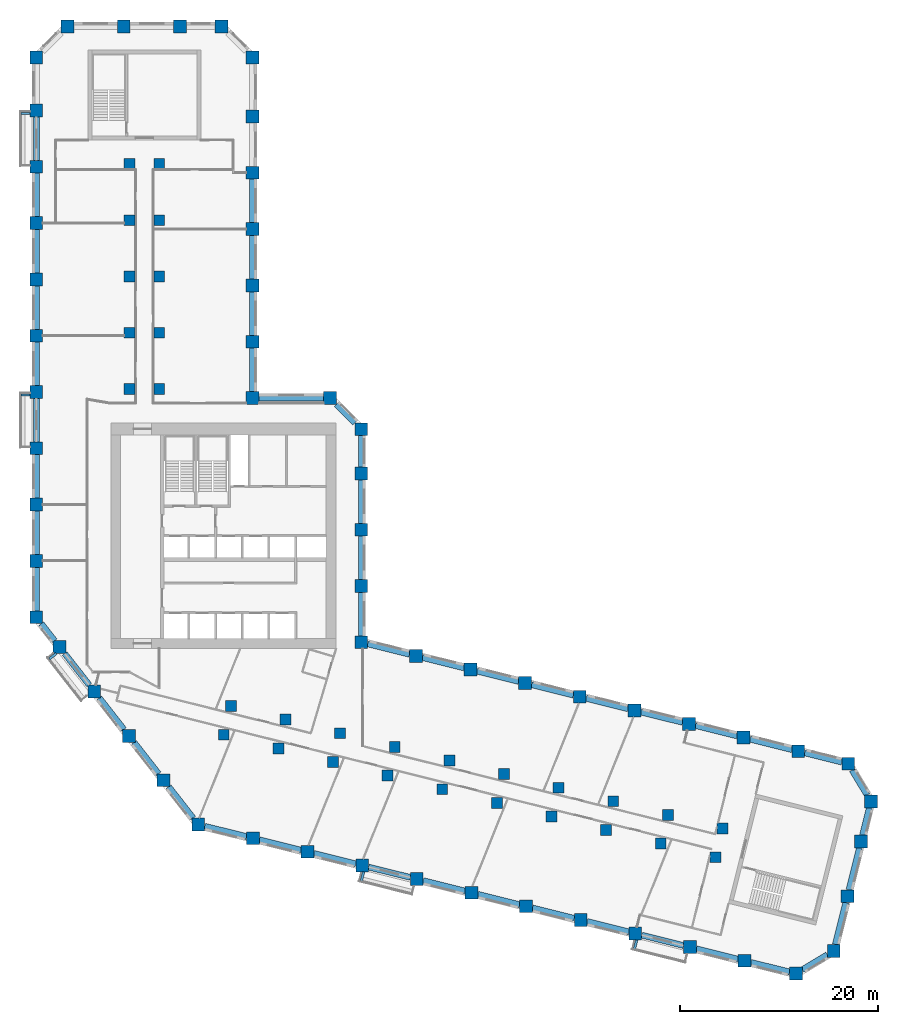
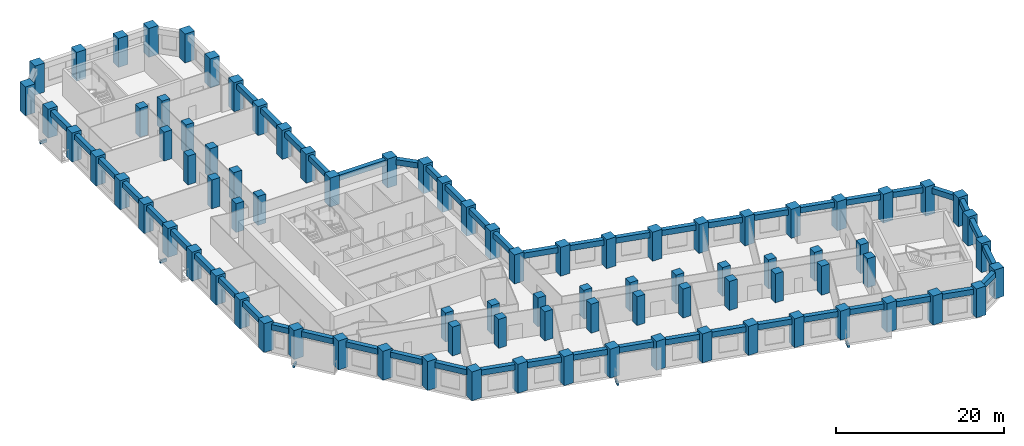
# One storey, part 1 of 10: 87 columns, 54 beams.
"""IFC4 building model written with IfcOpenShell, lengths in metres."""

from ifc_helpers import new_model, si_unit, direction, frame, origin, origin_2d, place, context, subcontext, project, spatial, rectangle, extrude, material, material_profile, profile_set, type_object, element, save


model = new_model("IFC4")

# Units and contexts
model_context = context("Model", 3, precision=1e-05, world=origin(), true_north=direction((0.0, 1.0)))
body_context = subcontext(model_context, "Body", "Model", "MODEL_VIEW")
ifc_project = project(units=[si_unit("LENGTHUNIT", "METRE"), si_unit("AREAUNIT", "SQUARE_METRE"), si_unit("VOLUMEUNIT", "CUBIC_METRE"), si_unit("PLANEANGLEUNIT", "RADIAN"), si_unit("MASSUNIT", "GRAM", prefix="KILO")], contexts=[model_context])

# Site, building, storey
site_placement = place(None, origin())
site = spatial("IfcSite", under=ifc_project, at=site_placement, CompositionType="ELEMENT")
building_placement = place(site_placement, origin())
building = spatial("IfcBuilding", under=site, at=building_placement, Name="Meshkara Civic Tower", CompositionType="ELEMENT")
storey_placement = place(building_placement, frame((0.0, 0.0, 126.60009765625)))
storey = spatial("IfcBuildingStorey", under=building, at=storey_placement, Name="L28", CompositionType="ELEMENT", Elevation=126.60009765625)

# Columns
ifc_material_1 = material(Name="Concrete C70", Category="concrete")
ifc_material_profile_1 = material_profile(ifc_material_1, rectangle(XDim=1.10009765625, YDim=1.10009765625, at=origin_2d()))
ifc_profile_set_1 = profile_set([ifc_material_profile_1], Name="Concrete C70")
column_type_1 = type_object("IfcColumnType", Name="Interior column RC 1100x1100 C70", PredefinedType="COLUMN", material=ifc_profile_set_1)
for number, where, z_axis, x_axis, name in (
    (1, (9.89990234375, 40.35009765625, 0.0), (0.0, 0.0, 1.0), (1.0, 0.0, 0.0), "Column SA1-04 L28"),
    (2, (9.89990234375, 46.050048828125, 0.0), (0.0, 0.0, 1.0), (1.0, 0.0, 0.0), "Column SA1-05 L28"),
    (3, (9.89990234375, 51.75, 0.0), (0.0, 0.0, 1.0), (1.0, 0.0, 0.0), "Column SA1-06 L28"),
    (4, (9.89990234375, 57.449951171875, 0.0), (0.0, 0.0, 1.0), (1.0, 0.0, 0.0), "Column SA1-07 L28"),
    (5, (9.89990234375, 63.14990234375, 0.0), (0.0, 0.0, 1.0), (1.0, 0.0, 0.0), "Column SA1-08 L28"),
    (6, (12.89990234375, 40.35009765625, 0.0), (0.0, 0.0, 1.0), (1.0, 0.0, 0.0), "Column SA2-04 L28"),
    (7, (12.89990234375, 46.050048828125, 0.0), (0.0, 0.0, 1.0), (1.0, 0.0, 0.0), "Column SA2-05 L28"),
    (8, (12.89990234375, 51.75, 0.0), (0.0, 0.0, 1.0), (1.0, 0.0, 0.0), "Column SA2-06 L28"),
    (9, (12.89990234375, 57.449951171875, 0.0), (0.0, 0.0, 1.0), (1.0, 0.0, 0.0), "Column SA2-07 L28"),
    (10, (12.89990234375, 63.14990234375, 0.0), (0.0, 0.0, 1.0), (1.0, 0.0, 0.0), "Column SA2-08 L28"),
    (11, (19.424072265625, 5.360107421875, 0.0), (0.0, 0.0, 1.0), (1.0, 0.0, 0.0), "Column SB1-00 L28"),
    (12, (24.9541015625, 3.98095703125, 0.0), (0.0, 0.0, 1.0), (1.0, 0.0, 0.0), "Column SB1-01 L28"),
    (13, (30.485107421875, 2.60205078125, 0.0), (0.0, 0.0, 1.0), (1.0, 0.0, 0.0), "Column SB1-02 L28"),
    (14, (36.01611328125, 1.222900390625, 0.0), (0.0, 0.0, 1.0), (1.0, 0.0, 0.0), "Column SB1-03 L28"),
    (15, (41.5458984375, -0.156005859375, 0.0), (0.0, 0.0, 1.0), (1.0, 0.0, 0.0), "Column SB1-04 L28"),
    (16, (47.076904296875, -1.534912109375, 0.0), (0.0, 0.0, 1.0), (1.0, 0.0, 0.0), "Column SB1-05 L28"),
    (17, (52.60791015625, -2.9140625, 0.0), (0.0, 0.0, 1.0), (1.0, 0.0, 0.0), "Column SB1-06 L28"),
    (18, (58.138916015625, -4.2919921875, 0.0), (0.0, 0.0, 1.0), (1.0, 0.0, 0.0), "Column SB1-07 L28"),
    (19, (63.6689453125, -5.6708984375, 0.0), (0.0, 0.0, 1.0), (1.0, 0.0, 0.0), "Column SB1-08 L28"),
    (20, (69.199951171875, -7.050048828125, 0.0), (0.0, 0.0, 1.0), (1.0, 0.0, 0.0), "Column SB1-09 L28"),
    (21, (20.14892578125, 8.27099609375, 0.0), (0.0, 0.0, 1.0), (1.0, 0.0, 0.0), "Column SB2-00 L28"),
    (22, (25.679931640625, 6.89208984375, 0.0), (0.0, 0.0, 1.0), (1.0, 0.0, 0.0), "Column SB2-01 L28"),
    (23, (31.2109375, 5.512939453125, 0.0), (0.0, 0.0, 1.0), (1.0, 0.0, 0.0), "Column SB2-02 L28"),
    (24, (36.741943359375, 4.134033203125, 0.0), (0.0, 0.0, 1.0), (1.0, 0.0, 0.0), "Column SB2-03 L28"),
    (25, (42.27197265625, 2.7548828125, 0.0), (0.0, 0.0, 1.0), (1.0, 0.0, 0.0), "Column SB2-04 L28"),
    (26, (47.802978515625, 1.3759765625, 0.0), (0.0, 0.0, 1.0), (1.0, 0.0, 0.0), "Column SB2-05 L28"),
    (27, (53.333984375, -0.0029296875, 0.0), (0.0, 0.0, 1.0), (1.0, 0.0, 0.0), "Column SB2-06 L28"),
    (28, (58.864013671875, -1.382080078125, 0.0), (0.0, 0.0, 1.0), (1.0, 0.0, 0.0), "Column SB2-07 L28"),
    (29, (64.39501953125, -2.760986328125, 0.0), (0.0, 0.0, 1.0), (1.0, 0.0, 0.0), "Column SB2-08 L28"),
    (30, (69.926025390625, -4.139892578125, 0.0), (0.0, 0.0, 1.0), (1.0, 0.0, 0.0), "Column SB2-09 L28"),
):
    element("IfcColumn", number, at=place(storey_placement, frame(where, z_axis=z_axis, x_axis=x_axis)), inside=storey, type_object=column_type_1, Name=name, PredefinedType="COLUMN", context=body_context, shape_type="SweptSolid", body=[
        extrude(rectangle(XDim=1.10009765625, YDim=1.10009765625, at=origin_2d()), origin(), (0.0, 0.0, 1.0), 4.199951171875),
    ])
ifc_material_2 = material(Name="Concrete C70", Category="concrete")
ifc_material_profile_2 = material_profile(ifc_material_2, rectangle(XDim=1.300048828125, YDim=1.300048828125, at=origin_2d()))
ifc_profile_set_2 = profile_set([ifc_material_profile_2], Name="Concrete C70")
column_type_2 = type_object("IfcColumnType", Name="Perimeter column RC 1300x1300 C70", PredefinedType="COLUMN", material=ifc_profile_set_2)
for number, where, z_axis, x_axis, name in (
    (31, (33.35009765625, 14.718994140625, 0.0), (0.0, 0.0, 1.0), (1.0, 0.0, 0.0), "Column HE00 L28"),
    (32, (33.35009765625, 20.4189453125, 0.0), (0.0, 0.0, 1.0), (1.0, 0.0, 0.0), "Column HE01 L28"),
    (33, (33.35009765625, 26.118896484375, 0.0), (0.0, 0.0, 1.0), (1.0, 0.0, 0.0), "Column HE02 L28"),
    (34, (33.35009765625, 31.819091796875, 0.0), (0.0, 0.0, 1.0), (1.0, 0.0, 0.0), "Column HE03 L28"),
    (35, (33.35009765625, 36.2939453125, 0.0), (0.0, 0.0, 1.0), (1.0, 0.0, 0.0), "Column HEE L28"),
    (36, (30.194091796875, 39.449951171875, 0.0), (0.0, 0.0, 1.0), (1.0, 0.0, 0.0), "Column HCeE L28"),
    (37, (22.35009765625, 39.449951171875, 0.0), (0.0, 0.0, 1.0), (1.0, 0.0, 0.0), "Column HN00 L28"),
    (38, (22.35009765625, 45.14990234375, 0.0), (0.0, 0.0, 1.0), (1.0, 0.0, 0.0), "Column AE01 L28"),
    (39, (22.35009765625, 50.85009765625, 0.0), (0.0, 0.0, 1.0), (1.0, 0.0, 0.0), "Column AE02 L28"),
    (40, (22.35009765625, 56.550048828125, 0.0), (0.0, 0.0, 1.0), (1.0, 0.0, 0.0), "Column AE03 L28"),
    (41, (22.35009765625, 62.25, 0.0), (0.0, 0.0, 1.0), (1.0, 0.0, 0.0), "Column AE04 L28"),
    (42, (22.35009765625, 67.949951171875, 0.0), (0.0, 0.0, 1.0), (1.0, 0.0, 0.0), "Column AE05 L28"),
    (43, (22.35009765625, 73.9140625, 0.0), (0.0, 0.0, 1.0), (1.0, 0.0, 0.0), "Column AEEP1 L28"),
    (44, (19.194091796875, 77.070068359375, 0.0), (0.0, 0.0, 1.0), (1.0, 0.0, 0.0), "Column ATiEP1 L28"),
    (45, (3.60595703125, 77.070068359375, 0.0), (0.0, 0.0, 1.0), (1.0, 0.0, 0.0), "Column AT00-P1 L28"),
    (46, (9.305908203125, 77.070068359375, 0.0), (0.0, 0.0, 1.0), (1.0, 0.0, 0.0), "Column AT01-P1 L28"),
    (47, (15.006103515625, 77.070068359375, 0.0), (0.0, 0.0, 1.0), (1.0, 0.0, 0.0), "Column AT02-P1 L28"),
    (48, (0.449951171875, 73.9140625, 0.0), (0.0, 0.0, 1.0), (1.0, 0.0, 0.0), "Column ATo00-P1 L28"),
    (49, (0.449951171875, 17.2548828125, 0.0), (0.0, 0.0, 1.0), (1.0, 0.0, 0.0), "Column AW00 L28"),
    (50, (0.449951171875, 22.955078125, 0.0), (0.0, 0.0, 1.0), (1.0, 0.0, 0.0), "Column AW01 L28"),
    (51, (0.449951171875, 28.655029296875, 0.0), (0.0, 0.0, 1.0), (1.0, 0.0, 0.0), "Column AW02 L28"),
    (52, (0.449951171875, 34.35498046875, 0.0), (0.0, 0.0, 1.0), (1.0, 0.0, 0.0), "Column AW03 L28"),
    (53, (0.449951171875, 40.054931640625, 0.0), (0.0, 0.0, 1.0), (1.0, 0.0, 0.0), "Column AW04 L28"),
    (54, (0.449951171875, 45.7548828125, 0.0), (0.0, 0.0, 1.0), (1.0, 0.0, 0.0), "Column AW05 L28"),
    (55, (0.449951171875, 51.455078125, 0.0), (0.0, 0.0, 1.0), (1.0, 0.0, 0.0), "Column AW06 L28"),
    (56, (0.449951171875, 57.155029296875, 0.0), (0.0, 0.0, 1.0), (1.0, 0.0, 0.0), "Column AW07 L28"),
    (57, (0.449951171875, 62.85498046875, 0.0), (0.0, 0.0, 1.0), (1.0, 0.0, 0.0), "Column AW08 L28"),
    (58, (0.449951171875, 68.554931640625, 0.0), (0.0, 0.0, 1.0), (1.0, 0.0, 0.0), "Column AW09 L28"),
    (59, (16.85107421875, -3.738037109375, 0.0), (0.0, 0.0, 1.0), (1.0, 0.0, 0.0), "Column BOW00 L28"),
    (60, (13.342041015625, 0.75390625, 0.0), (0.0, 0.0, 1.0), (1.0, 0.0, 0.0), "Column BOW01 L28"),
    (61, (9.8330078125, 5.2451171875, 0.0), (0.0, 0.0, 1.0), (1.0, 0.0, 0.0), "Column BOW02 L28"),
    (62, (6.322998046875, 9.737060546875, 0.0), (0.0, 0.0, 1.0), (1.0, 0.0, 0.0), "Column BOW03 L28"),
    (63, (2.81396484375, 14.22900390625, 0.0), (0.0, 0.0, 1.0), (1.0, 0.0, 0.0), "Column BOW04 L28"),
    (64, (22.382080078125, -5.116943359375, 0.0), (0.0, 0.0, 1.0), (1.0, 0.0, 0.0), "Column BS01 L28"),
    (65, (27.912109375, -6.49609375, 0.0), (0.0, 0.0, 1.0), (1.0, 0.0, 0.0), "Column BS02 L28"),
    (66, (33.443115234375, -7.875, 0.0), (0.0, 0.0, 1.0), (1.0, 0.0, 0.0), "Column BS03 L28"),
    (67, (38.97412109375, -9.2529296875, 0.0), (0.0, 0.0, 1.0), (1.0, 0.0, 0.0), "Column BS04-P1 L28"),
    (68, (44.5048828125, -10.632080078125, 0.0), (0.0, 0.0, 1.0), (1.0, 0.0, 0.0), "Column BS05 L28"),
    (69, (50.034912109375, -12.010986328125, 0.0), (0.0, 0.0, 1.0), (1.0, 0.0, 0.0), "Column BS06 L28"),
    (70, (55.56591796875, -13.389892578125, 0.0), (0.0, 0.0, 1.0), (1.0, 0.0, 0.0), "Column BS07 L28"),
    (71, (61.096923828125, -14.76904296875, 0.0), (0.0, 0.0, 1.0), (1.0, 0.0, 0.0), "Column BS08 L28"),
    (72, (66.626953125, -16.14794921875, 0.0), (0.0, 0.0, 1.0), (1.0, 0.0, 0.0), "Column BS09 L28"),
    (73, (72.157958984375, -17.527099609375, 0.0), (0.0, 0.0, 1.0), (1.0, 0.0, 0.0), "Column BS10 L28"),
    (74, (77.35791015625, -18.822998046875, 0.0), (0.0, 0.0, 1.0), (1.0, 0.0, 0.0), "Column BSEP1 L28"),
    (75, (81.18310546875, -16.52392578125, 0.0), (0.0, 0.0, 1.0), (1.0, 0.0, 0.0), "Column BToEP1 L28"),
    (76, (82.56201171875, -10.992919921875, 0.0), (0.0, 0.0, 1.0), (1.0, 0.0, 0.0), "Column BT01-P1 L28"),
    (77, (83.94091796875, -5.462890625, 0.0), (0.0, 0.0, 1.0), (1.0, 0.0, 0.0), "Column BT02-P1 L28"),
    (78, (84.9541015625, -1.39990234375, 0.0), (0.0, 0.0, 1.0), (1.0, 0.0, 0.0), "Column BTEP1 L28"),
    (79, (82.655029296875, 2.425048828125, 0.0), (0.0, 0.0, 1.0), (1.0, 0.0, 0.0), "Column BTi00-P1 L28"),
    (80, (38.881103515625, 13.340087890625, 0.0), (0.0, 0.0, 1.0), (1.0, 0.0, 0.0), "Column BN01 L28"),
    (81, (44.410888671875, 11.9609375, 0.0), (0.0, 0.0, 1.0), (1.0, 0.0, 0.0), "Column BN02 L28"),
    (82, (49.94189453125, 10.58203125, 0.0), (0.0, 0.0, 1.0), (1.0, 0.0, 0.0), "Column BN03 L28"),
    (83, (55.472900390625, 9.202880859375, 0.0), (0.0, 0.0, 1.0), (1.0, 0.0, 0.0), "Column BN04 L28"),
    (84, (61.0029296875, 7.823974609375, 0.0), (0.0, 0.0, 1.0), (1.0, 0.0, 0.0), "Column BN05 L28"),
    (85, (66.533935546875, 6.445068359375, 0.0), (0.0, 0.0, 1.0), (1.0, 0.0, 0.0), "Column BN06 L28"),
    (86, (72.06494140625, 5.06591796875, 0.0), (0.0, 0.0, 1.0), (1.0, 0.0, 0.0), "Column BN07 L28"),
    (87, (77.594970703125, 3.68701171875, 0.0), (0.0, 0.0, 1.0), (1.0, 0.0, 0.0), "Column BN08 L28"),
):
    element("IfcColumn", number, at=place(storey_placement, frame(where, z_axis=z_axis, x_axis=x_axis)), inside=storey, type_object=column_type_2, Name=name, PredefinedType="COLUMN", context=body_context, shape_type="SweptSolid", body=[
        extrude(rectangle(XDim=1.300048828125, YDim=1.300048828125, at=origin_2d()), origin(), (0.0, 0.0, 1.0), 4.199951171875),
    ])

# Beams
ifc_material_3 = material(Name="Concrete C50", Category="concrete")
ifc_material_profile_3 = material_profile(ifc_material_3, rectangle(XDim=0.25, YDim=0.39990234375, at=origin_2d()))
ifc_profile_set_3 = profile_set([ifc_material_profile_3], Name="Concrete C50")
beam_type_1 = type_object("IfcBeamType", Name="Balcony bracket beam RC 250x400 C50", PredefinedType="BEAM", material=ifc_profile_set_3)
for number, where, z_axis, x_axis, name in (
    (88, (-0.195068359375, 68.2548828125, -0.5), (-1.0, 0.0, 0.0), (0.0, -1.0, 0.0), "Balcony bracket beam"),
    (89, (-0.195068359375, 39.7548828125, -0.5), (-1.0, 0.0, 0.0), (0.0, -1.0, 0.0), "Balcony bracket beam"),
):
    element("IfcBeam", number, at=place(storey_placement, frame(where, z_axis=z_axis, x_axis=x_axis)), inside=storey, type_object=beam_type_1, Name=name, PredefinedType="BEAM", context=body_context, shape_type="SweptSolid", body=[
        extrude(rectangle(XDim=0.25, YDim=0.39990234375, at=origin_2d()), origin(), (0.0, 0.0, 1.0), 0.905029296875),
    ])
beam_1_placement = place(storey_placement, frame((2.472900390625, 13.58203125, -0.5), z_axis=(-0.787831553438, -0.615890772302, 0.0), x_axis=(0.615890772302, -0.787831553438, 0.0)))
element("IfcBeam", 90, at=beam_1_placement, inside=storey, type_object=beam_type_1, Name="Balcony bracket beam", PredefinedType="BEAM", context=body_context, shape_type="SweptSolid", body=[
    extrude(rectangle(XDim=0.25, YDim=0.39990234375, at=origin_2d()), origin(), (0.0, 0.0, 1.0), 0.88330078125),
])
beam_2_placement = place(storey_placement, frame((33.591064453125, -8.52001953125, -0.5), z_axis=(-0.24199671944, -0.970277067533, 0.0), x_axis=(0.970277067533, -0.24199671944, 0.0)))
element("IfcBeam", 91, at=beam_2_placement, inside=storey, type_object=beam_type_1, Name="Balcony bracket beam", PredefinedType="BEAM", context=body_context, shape_type="SweptSolid", body=[
    extrude(rectangle(XDim=0.25, YDim=0.39990234375, at=origin_2d()), origin(), (0.0, 0.0, 1.0), 0.95947265625),
])
beam_3_placement = place(storey_placement, frame((61.2451171875, -15.4140625, -0.5), z_axis=(-0.241757949961, -0.970336587804, 0.0), x_axis=(0.970336587804, -0.241757949961, 0.0)))
element("IfcBeam", 92, at=beam_3_placement, inside=storey, type_object=beam_type_1, Name="Balcony bracket beam", PredefinedType="BEAM", context=body_context, shape_type="SweptSolid", body=[
    extrude(rectangle(XDim=0.25, YDim=0.39990234375, at=origin_2d()), origin(), (0.0, 0.0, 1.0), 0.96044921875),
])
ifc_material_4 = material(Name="Concrete C70", Category="concrete")
ifc_material_profile_4 = material_profile(ifc_material_4, rectangle(XDim=0.60009765625, YDim=0.800048828125, at=origin_2d()))
ifc_profile_set_4 = profile_set([ifc_material_profile_4], Name="Concrete C70")
beam_type_2 = type_object("IfcBeamType", Name="Spandrel beam RC 600x800 C70", PredefinedType="BEAM", material=ifc_profile_set_4)
beam_4_placement = place(storey_placement, frame((76.949951171875, 3.847900390625, 3.5), z_axis=(-0.970293497888, 0.241930832999, 0.0), x_axis=(-0.241930832999, -0.970293497888, 0.0)))
element("IfcBeam", 93, at=beam_4_placement, inside=storey, type_object=beam_type_2, Name="Spandrel beam BN07-BN08", PredefinedType="BEAM", context=body_context, shape_type="SweptSolid", body=[
    extrude(rectangle(XDim=0.60009765625, YDim=0.800048828125, at=origin_2d()), origin(), (0.0, 0.0, 1.0), 4.36962890625),
])
for number, where, z_axis, x_axis, name in (
    (94, (71.419921875, 5.226806640625, 3.5), (-0.970293463154, 0.241930972304, 0.0), (-0.241930972304, -0.970293463154, 0.0), "Spandrel beam BN06-BN07"),
    (95, (65.888916015625, 6.605712890625, 3.5), (-0.970293463154, 0.241930972304, 0.0), (-0.241930972304, -0.970293463154, 0.0), "Spandrel beam BN05-BN06"),
):
    element("IfcBeam", number, at=place(storey_placement, frame(where, z_axis=z_axis, x_axis=x_axis)), inside=storey, type_object=beam_type_2, Name=name, PredefinedType="BEAM", context=body_context, shape_type="SweptSolid", body=[
        extrude(rectangle(XDim=0.60009765625, YDim=0.800048828125, at=origin_2d()), origin(), (0.0, 0.0, 1.0), 4.37060546875),
    ])
beam_5_placement = place(storey_placement, frame((60.35791015625, 7.98486328125, 3.5), z_axis=(-0.970293497888, 0.241930832999, 0.0), x_axis=(-0.241930832999, -0.970293497888, 0.0)))
element("IfcBeam", 96, at=beam_5_placement, inside=storey, type_object=beam_type_2, Name="Spandrel beam BN04-BN05", PredefinedType="BEAM", context=body_context, shape_type="SweptSolid", body=[
    extrude(rectangle(XDim=0.60009765625, YDim=0.800048828125, at=origin_2d()), origin(), (0.0, 0.0, 1.0), 4.36962890625),
])
for number, where, z_axis, x_axis, name in (
    (97, (54.827880859375, 9.36376953125, 3.5), (-0.970293463154, 0.241930972304, 0.0), (-0.241930972304, -0.970293463154, 0.0), "Spandrel beam BN03-BN04"),
    (98, (49.296875, 10.742919921875, 3.5), (-0.970293463154, 0.241930972304, 0.0), (-0.241930972304, -0.970293463154, 0.0), "Spandrel beam BN02-BN03"),
):
    element("IfcBeam", number, at=place(storey_placement, frame(where, z_axis=z_axis, x_axis=x_axis)), inside=storey, type_object=beam_type_2, Name=name, PredefinedType="BEAM", context=body_context, shape_type="SweptSolid", body=[
        extrude(rectangle(XDim=0.60009765625, YDim=0.800048828125, at=origin_2d()), origin(), (0.0, 0.0, 1.0), 4.37060546875),
    ])
beam_6_placement = place(storey_placement, frame((43.765869140625, 12.121826171875, 3.5), z_axis=(-0.970280380753, 0.241983434817, 0.0), x_axis=(-0.241983434817, -0.970280380753, 0.0)))
element("IfcBeam", 99, at=beam_6_placement, inside=storey, type_object=beam_type_2, Name="Spandrel beam BN01-BN02", PredefinedType="BEAM", context=body_context, shape_type="SweptSolid", body=[
    extrude(rectangle(XDim=0.60009765625, YDim=0.800048828125, at=origin_2d()), origin(), (0.0, 0.0, 1.0), 4.36962890625),
])
beam_7_placement = place(storey_placement, frame((38.23583984375, 13.500732421875, 3.5), z_axis=(-0.970293463154, 0.241930972304, 0.0), x_axis=(-0.241930972304, -0.970293463154, 0.0)))
element("IfcBeam", 100, at=beam_7_placement, inside=storey, type_object=beam_type_2, Name="Spandrel beam BN01-HE00", PredefinedType="BEAM", context=body_context, shape_type="SweptSolid", body=[
    extrude(rectangle(XDim=0.60009765625, YDim=0.800048828125, at=origin_2d()), origin(), (0.0, 0.0, 1.0), 4.37060546875),
])
beam_8_placement = place(storey_placement, frame((33.35009765625, 15.364013671875, 3.5), z_axis=(0.0, 1.0, 0.0), x_axis=(-1.0, 0.0, 0.0)))
element("IfcBeam", 101, at=beam_8_placement, inside=storey, type_object=beam_type_2, Name="Spandrel beam HE00-HE01", PredefinedType="BEAM", context=body_context, shape_type="SweptSolid", body=[
    extrude(rectangle(XDim=0.60009765625, YDim=0.800048828125, at=origin_2d()), origin(), (0.0, 0.0, 1.0), 4.409912109375),
])
for number, where, z_axis, x_axis, name in (
    (102, (33.35009765625, 21.06396484375, 3.5), (0.0, 1.0, 0.0), (-1.0, 0.0, 0.0), "Spandrel beam HE01-HE02"),
    (103, (33.35009765625, 26.763916015625, 3.5), (0.0, 1.0, 0.0), (-1.0, 0.0, 0.0), "Spandrel beam HE02-HE03"),
):
    element("IfcBeam", number, at=place(storey_placement, frame(where, z_axis=z_axis, x_axis=x_axis)), inside=storey, type_object=beam_type_2, Name=name, PredefinedType="BEAM", context=body_context, shape_type="SweptSolid", body=[
        extrude(rectangle(XDim=0.60009765625, YDim=0.800048828125, at=origin_2d()), origin(), (0.0, 0.0, 1.0), 4.41015625),
    ])
beam_9_placement = place(storey_placement, frame((33.35009765625, 32.464111328125, 3.5), z_axis=(0.0, 1.0, 0.0), x_axis=(-1.0, 0.0, 0.0)))
element("IfcBeam", 104, at=beam_9_placement, inside=storey, type_object=beam_type_2, Name="Spandrel beam HE03-HEE", PredefinedType="BEAM", context=body_context, shape_type="SweptSolid", body=[
    extrude(rectangle(XDim=0.60009765625, YDim=0.800048828125, at=origin_2d()), origin(), (0.0, 0.0, 1.0), 3.184814453125),
])
beam_10_placement = place(storey_placement, frame((32.70361328125, 36.9404296875, 3.5), z_axis=(-0.707106781187, 0.707106781187, 0.0), x_axis=(-0.707106781187, -0.707106781187, 0.0)))
element("IfcBeam", 105, at=beam_10_placement, inside=storey, type_object=beam_type_2, Name="Spandrel beam HCeE-HEE", PredefinedType="BEAM", context=body_context, shape_type="SweptSolid", body=[
    extrude(rectangle(XDim=0.60009765625, YDim=0.800048828125, at=origin_2d()), origin(), (0.0, 0.0, 1.0), 2.634765625),
])
beam_11_placement = place(storey_placement, frame((29.549072265625, 39.449951171875, 3.5), z_axis=(-1.0, 0.0, 0.0), x_axis=(0.0, -1.0, 0.0)))
element("IfcBeam", 106, at=beam_11_placement, inside=storey, type_object=beam_type_2, Name="Spandrel beam HCeE-HN00", PredefinedType="BEAM", context=body_context, shape_type="SweptSolid", body=[
    extrude(rectangle(XDim=0.60009765625, YDim=0.800048828125, at=origin_2d()), origin(), (0.0, 0.0, 1.0), 6.553955078125),
])
beam_12_placement = place(storey_placement, frame((22.35009765625, 40.094970703125, 3.5), z_axis=(0.0, 1.0, 0.0), x_axis=(-1.0, 0.0, 0.0)))
element("IfcBeam", 107, at=beam_12_placement, inside=storey, type_object=beam_type_2, Name="Spandrel beam AE01-HN00", PredefinedType="BEAM", context=body_context, shape_type="SweptSolid", body=[
    extrude(rectangle(XDim=0.60009765625, YDim=0.800048828125, at=origin_2d()), origin(), (0.0, 0.0, 1.0), 4.409912109375),
])
beam_13_placement = place(storey_placement, frame((22.35009765625, 45.794921875, 3.5), z_axis=(0.0, 1.0, 0.0), x_axis=(-1.0, 0.0, 0.0)))
element("IfcBeam", 108, at=beam_13_placement, inside=storey, type_object=beam_type_2, Name="Spandrel beam AE01-AE02", PredefinedType="BEAM", context=body_context, shape_type="SweptSolid", body=[
    extrude(rectangle(XDim=0.60009765625, YDim=0.800048828125, at=origin_2d()), origin(), (0.0, 0.0, 1.0), 4.41015625),
])
for number, where, z_axis, x_axis, name in (
    (109, (22.35009765625, 51.4951171875, 3.5), (0.0, 1.0, 0.0), (-1.0, 0.0, 0.0), "Spandrel beam AE02-AE03"),
    (110, (22.35009765625, 57.195068359375, 3.5), (0.0, 1.0, 0.0), (-1.0, 0.0, 0.0), "Spandrel beam AE03-AE04"),
    (111, (0.449951171875, 67.909912109375, 3.5), (0.0, -1.0, 0.0), (1.0, 0.0, 0.0), "Spandrel beam AW08-AW09"),
    (112, (0.449951171875, 62.2099609375, 3.5), (0.0, -1.0, 0.0), (1.0, 0.0, 0.0), "Spandrel beam AW07-AW08"),
    (113, (0.449951171875, 56.510009765625, 3.5), (0.0, -1.0, 0.0), (1.0, 0.0, 0.0), "Spandrel beam AW06-AW07"),
):
    element("IfcBeam", number, at=place(storey_placement, frame(where, z_axis=z_axis, x_axis=x_axis)), inside=storey, type_object=beam_type_2, Name=name, PredefinedType="BEAM", context=body_context, shape_type="SweptSolid", body=[
        extrude(rectangle(XDim=0.60009765625, YDim=0.800048828125, at=origin_2d()), origin(), (0.0, 0.0, 1.0), 4.409912109375),
    ])
for number, where, z_axis, x_axis, name in (
    (114, (0.449951171875, 50.81005859375, 3.5), (0.0, -1.0, 0.0), (1.0, 0.0, 0.0), "Spandrel beam AW05-AW06"),
    (115, (0.449951171875, 45.110107421875, 3.5), (0.0, -1.0, 0.0), (1.0, 0.0, 0.0), "Spandrel beam AW04-AW05"),
):
    element("IfcBeam", number, at=place(storey_placement, frame(where, z_axis=z_axis, x_axis=x_axis)), inside=storey, type_object=beam_type_2, Name=name, PredefinedType="BEAM", context=body_context, shape_type="SweptSolid", body=[
        extrude(rectangle(XDim=0.60009765625, YDim=0.800048828125, at=origin_2d()), origin(), (0.0, 0.0, 1.0), 4.41015625),
    ])
for number, where, z_axis, x_axis, name in (
    (116, (0.449951171875, 39.409912109375, 3.5), (0.0, -1.0, 0.0), (1.0, 0.0, 0.0), "Spandrel beam AW03-AW04"),
    (117, (0.449951171875, 33.7099609375, 3.5), (0.0, -1.0, 0.0), (1.0, 0.0, 0.0), "Spandrel beam AW02-AW03"),
    (118, (0.449951171875, 28.010009765625, 3.5), (0.0, -1.0, 0.0), (1.0, 0.0, 0.0), "Spandrel beam AW01-AW02"),
):
    element("IfcBeam", number, at=place(storey_placement, frame(where, z_axis=z_axis, x_axis=x_axis)), inside=storey, type_object=beam_type_2, Name=name, PredefinedType="BEAM", context=body_context, shape_type="SweptSolid", body=[
        extrude(rectangle(XDim=0.60009765625, YDim=0.800048828125, at=origin_2d()), origin(), (0.0, 0.0, 1.0), 4.409912109375),
    ])
beam_14_placement = place(storey_placement, frame((0.449951171875, 22.31005859375, 3.5), z_axis=(0.0, -1.0, 0.0), x_axis=(1.0, 0.0, 0.0)))
element("IfcBeam", 119, at=beam_14_placement, inside=storey, type_object=beam_type_2, Name="Spandrel beam AW00-AW01", PredefinedType="BEAM", context=body_context, shape_type="SweptSolid", body=[
    extrude(rectangle(XDim=0.60009765625, YDim=0.800048828125, at=origin_2d()), origin(), (0.0, 0.0, 1.0), 4.41015625),
])
beam_15_placement = place(storey_placement, frame((0.95458984375, 16.60888671875, 3.5), z_axis=(0.61568279769, -0.787994094286, 0.0), x_axis=(0.787994094286, 0.61568279769, 0.0)))
element("IfcBeam", 120, at=beam_15_placement, inside=storey, type_object=beam_type_2, Name="Spandrel beam AW00-BOW04", PredefinedType="BEAM", context=body_context, shape_type="SweptSolid", body=[
    extrude(rectangle(XDim=0.60009765625, YDim=0.800048828125, at=origin_2d()), origin(), (0.0, 0.0, 1.0), 2.200439453125),
])
beam_16_placement = place(storey_placement, frame((3.318603515625, 13.5830078125, 3.5), z_axis=(0.615612539127, -0.788048984309, 0.0), x_axis=(0.788048984309, 0.615612539127, 0.0)))
element("IfcBeam", 121, at=beam_16_placement, inside=storey, type_object=beam_type_2, Name="Spandrel beam BOW03-BOW04", PredefinedType="BEAM", context=body_context, shape_type="SweptSolid", body=[
    extrude(rectangle(XDim=0.60009765625, YDim=0.800048828125, at=origin_2d()), origin(), (0.0, 0.0, 1.0), 4.060546875),
])
beam_17_placement = place(storey_placement, frame((6.827880859375, 9.0908203125, 3.5), z_axis=(0.615716376188, -0.787967857272, 0.0), x_axis=(0.787967857272, 0.615716376188, 0.0)))
element("IfcBeam", 122, at=beam_17_placement, inside=storey, type_object=beam_type_2, Name="Spandrel beam BOW02-BOW03", PredefinedType="BEAM", context=body_context, shape_type="SweptSolid", body=[
    extrude(rectangle(XDim=0.60009765625, YDim=0.800048828125, at=origin_2d()), origin(), (0.0, 0.0, 1.0), 4.060791015625),
])
beam_18_placement = place(storey_placement, frame((10.337890625, 4.598876953125, 3.5), z_axis=(0.61568372316, -0.787993371188, 0.0), x_axis=(0.787993371188, 0.61568372316, 0.0)))
element("IfcBeam", 123, at=beam_18_placement, inside=storey, type_object=beam_type_2, Name="Spandrel beam BOW01-BOW02", PredefinedType="BEAM", context=body_context, shape_type="SweptSolid", body=[
    extrude(rectangle(XDim=0.60009765625, YDim=0.800048828125, at=origin_2d()), origin(), (0.0, 0.0, 1.0), 4.059326171875),
])
beam_19_placement = place(storey_placement, frame((13.8466796875, 0.10791015625, 3.5), z_axis=(0.615604368214, -0.78805536724, 0.0), x_axis=(0.78805536724, 0.615604368214, 0.0)))
element("IfcBeam", 124, at=beam_19_placement, inside=storey, type_object=beam_type_2, Name="Spandrel beam BOW00-BOW01", PredefinedType="BEAM", context=body_context, shape_type="SweptSolid", body=[
    extrude(rectangle(XDim=0.60009765625, YDim=0.800048828125, at=origin_2d()), origin(), (0.0, 0.0, 1.0), 4.060302734375),
])
beam_20_placement = place(storey_placement, frame((17.49609375, -3.898681640625, 3.5), z_axis=(0.970280349033, -0.241983562004, 0.0), x_axis=(0.241983562004, 0.970280349033, 0.0)))
element("IfcBeam", 125, at=beam_20_placement, inside=storey, type_object=beam_type_2, Name="Spandrel beam BOW00-BS01", PredefinedType="BEAM", context=body_context, shape_type="SweptSolid", body=[
    extrude(rectangle(XDim=0.60009765625, YDim=0.800048828125, at=origin_2d()), origin(), (0.0, 0.0, 1.0), 4.37060546875),
])
beam_21_placement = place(storey_placement, frame((23.027099609375, -5.27783203125, 3.5), z_axis=(0.970280380753, -0.241983434817, 0.0), x_axis=(0.241983434817, 0.970280380753, 0.0)))
element("IfcBeam", 126, at=beam_21_placement, inside=storey, type_object=beam_type_2, Name="Spandrel beam BS01-BS02", PredefinedType="BEAM", context=body_context, shape_type="SweptSolid", body=[
    extrude(rectangle(XDim=0.60009765625, YDim=0.800048828125, at=origin_2d()), origin(), (0.0, 0.0, 1.0), 4.36962890625),
])
beam_22_placement = place(storey_placement, frame((28.55712890625, -6.65673828125, 3.5), z_axis=(0.970293463154, -0.241930972304, 0.0), x_axis=(0.241930972304, 0.970293463154, 0.0)))
element("IfcBeam", 127, at=beam_22_placement, inside=storey, type_object=beam_type_2, Name="Spandrel beam BS02-BS03", PredefinedType="BEAM", context=body_context, shape_type="SweptSolid", body=[
    extrude(rectangle(XDim=0.60009765625, YDim=0.800048828125, at=origin_2d()), origin(), (0.0, 0.0, 1.0), 4.37060546875),
])
beam_23_placement = place(storey_placement, frame((34.088134765625, -8.03564453125, 3.5), z_axis=(0.97033279054, -0.241773190412, 0.0), x_axis=(0.241773190412, 0.97033279054, 0.0)))
element("IfcBeam", 128, at=beam_23_placement, inside=storey, type_object=beam_type_2, Name="Spandrel beam BS03-BS04-P1", PredefinedType="BEAM", context=body_context, shape_type="SweptSolid", body=[
    extrude(rectangle(XDim=0.60009765625, YDim=0.800048828125, at=origin_2d()), origin(), (0.0, 0.0, 1.0), 4.370361328125),
])
beam_24_placement = place(storey_placement, frame((39.619140625, -9.413818359375, 3.5), z_axis=(0.970293463154, -0.241930972304, 0.0), x_axis=(0.241930972304, 0.970293463154, 0.0)))
element("IfcBeam", 129, at=beam_24_placement, inside=storey, type_object=beam_type_2, Name="Spandrel beam BS04-P1-BS05", PredefinedType="BEAM", context=body_context, shape_type="SweptSolid", body=[
    extrude(rectangle(XDim=0.60009765625, YDim=0.800048828125, at=origin_2d()), origin(), (0.0, 0.0, 1.0), 4.37060546875),
])
beam_25_placement = place(storey_placement, frame((45.150146484375, -10.79296875, 3.5), z_axis=(0.970293497888, -0.241930832999, 0.0), x_axis=(0.241930832999, 0.970293497888, 0.0)))
element("IfcBeam", 130, at=beam_25_placement, inside=storey, type_object=beam_type_2, Name="Spandrel beam BS05-BS06", PredefinedType="BEAM", context=body_context, shape_type="SweptSolid", body=[
    extrude(rectangle(XDim=0.60009765625, YDim=0.800048828125, at=origin_2d()), origin(), (0.0, 0.0, 1.0), 4.36962890625),
])
for number, where, z_axis, x_axis, name in (
    (131, (50.68017578125, -12.171875, 3.5), (0.970293463154, -0.241930972304, 0.0), (0.241930972304, 0.970293463154, 0.0), "Spandrel beam BS06-BS07"),
    (132, (56.211181640625, -13.55078125, 3.5), (0.970293463154, -0.241930972304, 0.0), (0.241930972304, 0.970293463154, 0.0), "Spandrel beam BS07-BS08"),
):
    element("IfcBeam", number, at=place(storey_placement, frame(where, z_axis=z_axis, x_axis=x_axis)), inside=storey, type_object=beam_type_2, Name=name, PredefinedType="BEAM", context=body_context, shape_type="SweptSolid", body=[
        extrude(rectangle(XDim=0.60009765625, YDim=0.800048828125, at=origin_2d()), origin(), (0.0, 0.0, 1.0), 4.37060546875),
    ])
beam_26_placement = place(storey_placement, frame((61.7421875, -14.929931640625, 3.5), z_axis=(0.970293497888, -0.241930832999, 0.0), x_axis=(0.241930832999, 0.970293497888, 0.0)))
element("IfcBeam", 133, at=beam_26_placement, inside=storey, type_object=beam_type_2, Name="Spandrel beam BS08-BS09", PredefinedType="BEAM", context=body_context, shape_type="SweptSolid", body=[
    extrude(rectangle(XDim=0.60009765625, YDim=0.800048828125, at=origin_2d()), origin(), (0.0, 0.0, 1.0), 4.36962890625),
])
beam_27_placement = place(storey_placement, frame((67.272216796875, -16.308837890625, 3.5), z_axis=(0.970293463154, -0.241930972304, 0.0), x_axis=(0.241930972304, 0.970293463154, 0.0)))
element("IfcBeam", 134, at=beam_27_placement, inside=storey, type_object=beam_type_2, Name="Spandrel beam BS09-BS10", PredefinedType="BEAM", context=body_context, shape_type="SweptSolid", body=[
    extrude(rectangle(XDim=0.60009765625, YDim=0.800048828125, at=origin_2d()), origin(), (0.0, 0.0, 1.0), 4.37060546875),
])
beam_28_placement = place(storey_placement, frame((72.802978515625, -17.687744140625, 3.5), z_axis=(0.970323993045, -0.241808495551, 0.0), x_axis=(0.241808495551, 0.970323993045, 0.0)))
element("IfcBeam", 135, at=beam_28_placement, inside=storey, type_object=beam_type_2, Name="Spandrel beam BS10-BSEP1", PredefinedType="BEAM", context=body_context, shape_type="SweptSolid", body=[
    extrude(rectangle(XDim=0.60009765625, YDim=0.800048828125, at=origin_2d()), origin(), (0.0, 0.0, 1.0), 4.029541015625),
])
beam_29_placement = place(storey_placement, frame((78.003662109375, -18.434814453125, 3.5), z_axis=(0.857121046107, 0.515115047655, 0.0), x_axis=(-0.515115047655, 0.857121046107, 0.0)))
element("IfcBeam", 136, at=beam_29_placement, inside=storey, type_object=beam_type_2, Name="Spandrel beam BSEP1-BToEP1", PredefinedType="BEAM", context=body_context, shape_type="SweptSolid", body=[
    extrude(rectangle(XDim=0.60009765625, YDim=0.800048828125, at=origin_2d()), origin(), (0.0, 0.0, 1.0), 2.9560546875),
])
beam_30_placement = place(storey_placement, frame((81.34375, -15.87890625, 3.5), z_axis=(0.241930972304, 0.970293463154, 0.0), x_axis=(-0.970293463154, 0.241930972304, 0.0)))
element("IfcBeam", 137, at=beam_30_placement, inside=storey, type_object=beam_type_2, Name="Spandrel beam BT01-P1-BToEP1", PredefinedType="BEAM", context=body_context, shape_type="SweptSolid", body=[
    extrude(rectangle(XDim=0.60009765625, YDim=0.800048828125, at=origin_2d()), origin(), (0.0, 0.0, 1.0), 4.37060546875),
])
beam_31_placement = place(storey_placement, frame((82.722900390625, -10.347900390625, 3.5), z_axis=(0.241930832999, 0.970293497888, 0.0), x_axis=(-0.970293497888, 0.241930832999, 0.0)))
element("IfcBeam", 138, at=beam_31_placement, inside=storey, type_object=beam_type_2, Name="Spandrel beam BT01-P1-BT02-P1", PredefinedType="BEAM", context=body_context, shape_type="SweptSolid", body=[
    extrude(rectangle(XDim=0.60009765625, YDim=0.800048828125, at=origin_2d()), origin(), (0.0, 0.0, 1.0), 4.36962890625),
])
beam_32_placement = place(storey_placement, frame((84.101806640625, -4.81787109375, 3.5), z_axis=(0.241952611346, 0.970288067464, 0.0), x_axis=(-0.970288067464, 0.241952611346, 0.0)))
element("IfcBeam", 139, at=beam_32_placement, inside=storey, type_object=beam_type_2, Name="Spandrel beam BT02-P1-BTEP1", PredefinedType="BEAM", context=body_context, shape_type="SweptSolid", body=[
    extrude(rectangle(XDim=0.60009765625, YDim=0.800048828125, at=origin_2d()), origin(), (0.0, 0.0, 1.0), 2.857666015625),
])
beam_33_placement = place(storey_placement, frame((84.56591796875, -0.75439453125, 3.5), z_axis=(-0.515115047655, 0.857121046107, 0.0), x_axis=(-0.857121046107, -0.515115047655, 0.0)))
element("IfcBeam", 140, at=beam_33_placement, inside=storey, type_object=beam_type_2, Name="Spandrel beam BTEP1-BTi00-P1", PredefinedType="BEAM", context=body_context, shape_type="SweptSolid", body=[
    extrude(rectangle(XDim=0.60009765625, YDim=0.800048828125, at=origin_2d()), origin(), (0.0, 0.0, 1.0), 2.9560546875),
])
beam_34_placement = place(storey_placement, frame((82.010009765625, 2.5859375, 3.5), z_axis=(-0.970282789967, 0.241973774392, 0.0), x_axis=(-0.241973774392, -0.970282789967, 0.0)))
element("IfcBeam", 141, at=beam_34_placement, inside=storey, type_object=beam_type_2, Name="Spandrel beam BN08-BTi00-P1", PredefinedType="BEAM", context=body_context, shape_type="SweptSolid", body=[
    extrude(rectangle(XDim=0.60009765625, YDim=0.800048828125, at=origin_2d()), origin(), (0.0, 0.0, 1.0), 3.885498046875),
])

save(model, "model.ifc")
